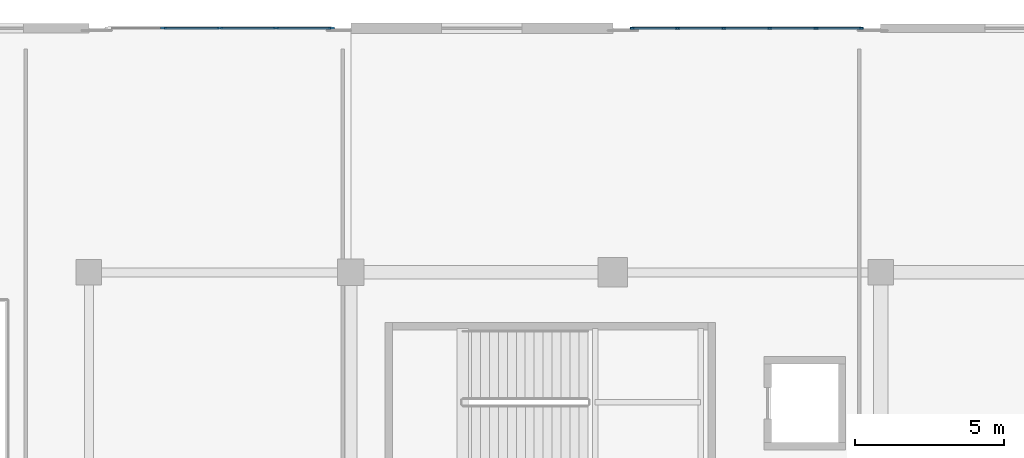
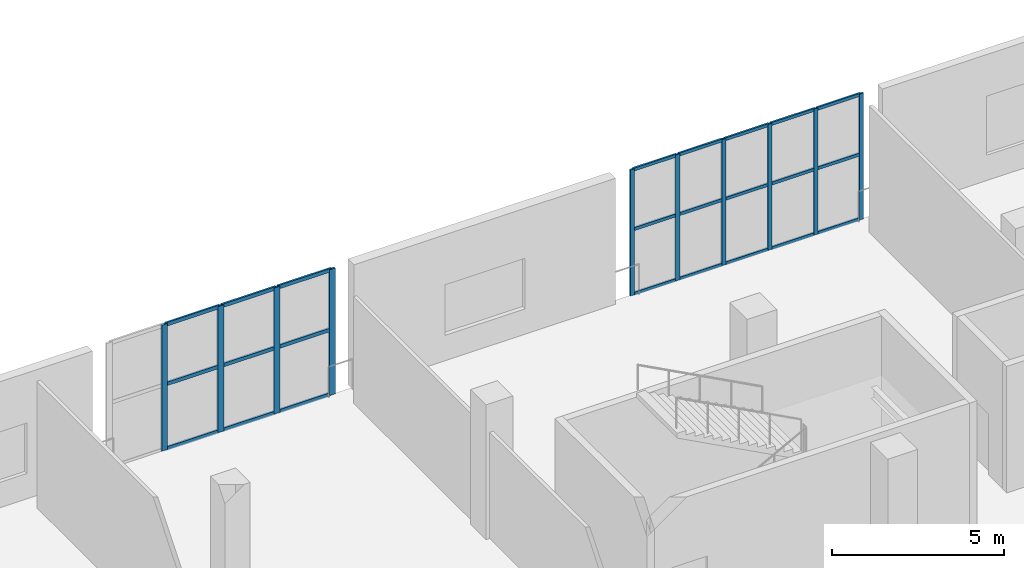
# One storey, part 55 of 129: 34 members, 2 elements without a shape of their own.
"""IFC4 building model written with IfcOpenShell, lengths in metres."""

import ifcopenshell
import ifcopenshell.guid

model = None  # the IFC model being written
_history = None  # IfcOwnerHistory: only IFC2X3 demands one
_inside = {}  # id of a spatial element -> (the spatial element, [elements in it])
_under = {}  # id of a project, library or spatial element -> (it, [spatial elements below it])
_declared = {}  # id of a project -> (the project, [libraries it declares])
_typed = {}  # id of a type object -> (the type object, [elements of that type])
_made_of = {}  # id of a material, layer set ... -> (it, [elements and type objects made of it])


def new_model(schema):
    """Start an empty IFC model of exactly this schema.

    Asked for "IFC4X3", IfcOpenShell would pick the latest addendum, in which some entities
    have other attributes; the version numbers below select the first issue.
    IFC2X3 requires an IfcOwnerHistory on every rooted entity: one is made here for all.
    """
    global model, _history
    if schema == "IFC4X3":
        model = ifcopenshell.file(schema_version=(4, 3, 0, 0))
    else:
        model = ifcopenshell.file(schema=schema)
    _inside.clear()
    _under.clear()
    _declared.clear()
    _typed.clear()
    _made_of.clear()
    _history = None
    if model.schema == "IFC2X3":
        org = make("IfcOrganization", Name="unknown")
        user = make(
            "IfcPersonAndOrganization",
            ThePerson=make("IfcPerson", FamilyName="unknown"),
            TheOrganization=org,
        )
        app = make(
            "IfcApplication",
            ApplicationDeveloper=org,
            Version="unknown",
            ApplicationFullName="unknown",
            ApplicationIdentifier="unknown",
        )
        _history = make(
            "IfcOwnerHistory",
            OwningUser=user,
            OwningApplication=app,
            ChangeAction="ADDED",
            CreationDate=0,
        )
    return model


def make(cls, **values):
    """One entity of the class cls with the attributes given. An attribute that is None is left unset."""
    return model.create_entity(
        cls, **{name: value for name, value in values.items() if value is not None}
    )


def rooted(cls, **values):
    """An entity with a GlobalId (a new one), such as an element, a storey or a relation."""
    return make(cls, GlobalId=ifcopenshell.guid.new(), OwnerHistory=_history, **values)


def si_unit(unit_type, name, prefix=None):
    """IfcSIUnit, for example si_unit("LENGTHUNIT", "METRE", prefix="MILLI")."""
    return make("IfcSIUnit", UnitType=unit_type, Prefix=prefix, Name=name)


def assignment(units):
    """IfcUnitAssignment: the units of a project."""
    return None if units is None else make("IfcUnitAssignment", Units=units)


def point(xyz):
    """IfcCartesianPoint."""
    return None if xyz is None else make("IfcCartesianPoint", Coordinates=xyz)


def direction(xyz):
    """IfcDirection."""
    return None if xyz is None else make("IfcDirection", DirectionRatios=xyz)


def frame(location, z_axis=None, x_axis=None):
    """IfcAxis2Placement3D, a coordinate frame: its origin and axes. An axis left out is left unset."""
    return make(
        "IfcAxis2Placement3D",
        Location=point(location),
        Axis=direction(z_axis),
        RefDirection=direction(x_axis),
    )


def frame_2d(location, x_axis=None):
    """IfcAxis2Placement2D, a coordinate frame in the plane: its origin and x axis."""
    return make(
        "IfcAxis2Placement2D", Location=point(location), RefDirection=direction(x_axis)
    )


def origin():
    """The frame at (0, 0, 0) with its axes left unset."""
    return frame((0.0, 0.0, 0.0))


def origin_2d():
    """The frame at (0, 0) in the plane with its x axis left unset."""
    return frame_2d((0.0, 0.0))


def place(relative_to, where):
    """IfcLocalPlacement: puts the frame where relative to a parent placement (None: the world)."""
    return make(
        "IfcLocalPlacement", PlacementRelTo=relative_to, RelativePlacement=where
    )


def context(
    kind, dimensions, precision=None, world=None, true_north=None, identifier=None
):
    """IfcGeometricRepresentationContext, for example the 3D "Model" context."""
    return make(
        "IfcGeometricRepresentationContext",
        ContextIdentifier=identifier,
        ContextType=kind,
        CoordinateSpaceDimension=dimensions,
        Precision=precision,
        WorldCoordinateSystem=world,
        TrueNorth=true_north,
    )


def subcontext(parent, identifier, kind, view, scale=None):
    """IfcGeometricRepresentationSubContext, for example "Body" below "Model"."""
    return make(
        "IfcGeometricRepresentationSubContext",
        ContextIdentifier=identifier,
        ContextType=kind,
        ParentContext=parent,
        TargetScale=scale,
        TargetView=view,
    )


def project(units=None, contexts=None):
    """IfcProject with its units and contexts."""
    return rooted(
        "IfcProject",
        Name="project",
        RepresentationContexts=contexts,
        UnitsInContext=assignment(units),
    )


def spatial(cls, under=None, at=None, **own):
    """A site, building, storey or space (cls), placed at a placement, below another one or the project."""
    s = rooted(cls, ObjectPlacement=at, **own)
    if under is not None:
        _under.setdefault(under.id(), (under, []))[1].append(s)
    return s


def profile(cls, at=None, kind="AREA", **sizes):
    """A parametric profile (cls). Its sizes go by their IFC names, for example OverallWidth=200.0."""
    return make(cls, ProfileType=kind, Position=at, **sizes)


def rectangle(**sizes):
    """IfcRectangleProfileDef."""
    return profile("IfcRectangleProfileDef", **sizes)


def extrude(swept, where, along, depth):
    """IfcExtrudedAreaSolid: the profile swept, set in the frame where, extruded along a direction by depth."""
    return make(
        "IfcExtrudedAreaSolid",
        SweptArea=swept,
        Position=where,
        ExtrudedDirection=direction(along),
        Depth=depth,
    )


def shape(context_of_items, identifier, shape_type, items):
    """IfcShapeRepresentation: the items that make up one representation, for example the "Body"."""
    return make(
        "IfcShapeRepresentation",
        ContextOfItems=context_of_items,
        RepresentationIdentifier=identifier,
        RepresentationType=shape_type,
        Items=items,
    )


def material(Name=None, Category=None):
    """IfcMaterial."""
    return make("IfcMaterial", Name=Name, Category=Category)


def material_profile(
    of_material, cross_section, Name=None, Category=None, Priority=None
):
    """IfcMaterialProfile: a cross section and its material."""
    return make(
        "IfcMaterialProfile",
        Name=Name,
        Material=of_material,
        Profile=cross_section,
        Priority=Priority,
        Category=Category,
    )


def profile_set(profiles, Name=None, composite=None):
    """IfcMaterialProfileSet."""
    return make(
        "IfcMaterialProfileSet",
        Name=Name,
        MaterialProfiles=profiles,
        CompositeProfile=composite,
    )


def made_of(thing, what):
    """Note that an element or type object is made of a material, layer set ...; save() writes the relation."""
    if what is not None:
        _made_of.setdefault(what.id(), (what, []))[1].append(thing)
    return thing


def type_object(cls, material=None, **own):
    """A type object (cls), such as IfcWallType, which elements share."""
    return made_of(rooted(cls, **own), material)


def element(
    cls,
    number,
    at=None,
    inside=None,
    cuts=None,
    type_object=None,
    material=None,
    context=None,
    identifier="Body",
    shape_type=None,
    held_by="IfcProductDefinitionShape",
    body=None,
    shapes=None,
    **own,
):
    """One element of the class cls, such as IfcWall. Its Tag is "e" and its number.

    at: its placement. inside: the storey or other place that contains it. cuts: it is an
    opening in that element (IfcRelVoidsElement). A single representation is given by context,
    identifier, shape_type and body (its items); several are given by shapes. held_by: the class
    of the entity that holds the representations. save() writes the other relations.
    """
    e = rooted(cls, Tag="e%d" % number, ObjectPlacement=at, **own)
    if body is not None:
        shapes = [shape(context, identifier, shape_type, body)]
    if shapes is not None:
        e.Representation = make(held_by, Representations=shapes)
    if inside is not None:
        _inside.setdefault(inside.id(), (inside, []))[1].append(e)
    if cuts is not None:
        rooted(
            "IfcRelVoidsElement", RelatingBuildingElement=cuts, RelatedOpeningElement=e
        )
    if type_object is not None:
        _typed.setdefault(type_object.id(), (type_object, []))[1].append(e)
    return made_of(e, material)


def aggregate(whole, parts):
    """IfcRelAggregates: a whole, such as a stair, and the parts it consists of."""
    return rooted("IfcRelAggregates", RelatingObject=whole, RelatedObjects=parts)


def save(model, path):
    """Write the relations noted so far, then the file.

    IfcRelAggregates (storeys below a building ...), IfcRelContainedInSpatialStructure (elements
    in a storey), IfcRelDefinesByType, IfcRelAssociatesMaterial and IfcRelDeclares: one each for
    every whole, place, type object, material and project.
    """
    for whole, parts in _under.values():
        aggregate(whole, parts)
    for where, things in _inside.values():
        rooted(
            "IfcRelContainedInSpatialStructure",
            RelatedElements=things,
            RelatingStructure=where,
        )
    for kind, things in _typed.values():
        rooted("IfcRelDefinesByType", RelatedObjects=things, RelatingType=kind)
    for what, things in _made_of.values():
        rooted("IfcRelAssociatesMaterial", RelatedObjects=things, RelatingMaterial=what)
    for by, libraries in _declared.values():
        rooted("IfcRelDeclares", RelatingContext=by, RelatedDefinitions=libraries)
    model.write(path)


model = new_model("IFC4")

# Units and contexts
model_context = context("Model", 3, precision=1e-05, world=origin(), true_north=direction((0.0, 1.0)))
body_context = subcontext(model_context, "Body", "Model", "MODEL_VIEW")
ifc_project = project(units=[si_unit("LENGTHUNIT", "METRE"), si_unit("AREAUNIT", "SQUARE_METRE"), si_unit("VOLUMEUNIT", "CUBIC_METRE"), si_unit("PLANEANGLEUNIT", "RADIAN"), si_unit("MASSUNIT", "GRAM", prefix="KILO")], contexts=[model_context])

# Site, building, storey
site_placement = place(None, origin())
site = spatial("IfcSite", under=ifc_project, at=site_placement, CompositionType="ELEMENT")
building_placement = place(site_placement, origin())
building = spatial("IfcBuilding", under=site, at=building_placement, Name="Koshinbarg Plaza Stadium", CompositionType="ELEMENT")
storey_placement = place(building_placement, frame((0.0, 0.0, 5.39990234375)))
storey = spatial("IfcBuildingStorey", under=building, at=storey_placement, Name="L01", CompositionType="ELEMENT", Elevation=5.39990234375)

# Curtain wall, members
ifc_material_1 = material(Name="Thermally broken anodised aluminium and low-E double glazing", Category="aluminium")
curtain_wall_type_1 = type_object("IfcCurtainWallType", Name="CW-SYS-01", PredefinedType="NOTDEFINED", material=ifc_material_1)
curtain_wall_1_placement = place(storey_placement, origin())
curtain_wall_1 = element("IfcCurtainWall", 1, at=curtain_wall_1_placement, inside=storey, type_object=curtain_wall_type_1, Name="L01 unitised curtain wall CW-L01-016", PredefinedType="NOTDEFINED")
ifc_material_2 = material(Name="Anodised aluminium mullion", Category="aluminium")
ifc_material_profile_1 = material_profile(ifc_material_2, rectangle(XDim=0.06005859375, YDim=0.139892578125, at=origin_2d()), Name="ALU 60x140")
ifc_profile_set_1 = profile_set([ifc_material_profile_1], Name="Anodised aluminium mullion")
member_type_1 = type_object("IfcMemberType", Name="CW-MUL-01", PredefinedType="MULLION", material=ifc_profile_set_1)
member_1_placement = place(storey_placement, frame((181.050048828125, 152.0, 0.0), z_axis=(0.0, 0.0, 1.0), x_axis=(0.0, 1.0, 0.0)))
member_1 = element("IfcMember", 2, at=member_1_placement, type_object=member_type_1, Name="CW01 mullion 1", PredefinedType="MULLION", context=body_context, shape_type="SweptSolid", body=[
    extrude(rectangle(XDim=0.06005859375, YDim=0.139892578125, at=origin_2d()), origin(), (0.0, 0.0, 1.0), 4.47998046875),
])
member_2_placement = place(storey_placement, frame((182.572021484375, 152.0, 0.0), z_axis=(0.0, 0.0, 1.0), x_axis=(0.0, 1.0, 0.0)))
member_2 = element("IfcMember", 3, at=member_2_placement, type_object=member_type_1, Name="CW01 mullion 2", PredefinedType="MULLION", context=body_context, shape_type="SweptSolid", body=[
    extrude(rectangle(XDim=0.06005859375, YDim=0.139892578125, at=origin_2d()), origin(), (0.0, 0.0, 1.0), 4.47998046875),
])
member_3_placement = place(storey_placement, frame((184.1240234375, 152.0, 0.0), z_axis=(0.0, 0.0, 1.0), x_axis=(0.0, 1.0, 0.0)))
member_3 = element("IfcMember", 4, at=member_3_placement, type_object=member_type_1, Name="CW01 mullion 3", PredefinedType="MULLION", context=body_context, shape_type="SweptSolid", body=[
    extrude(rectangle(XDim=0.06005859375, YDim=0.139892578125, at=origin_2d()), origin(), (0.0, 0.0, 1.0), 4.47998046875),
])
member_4_placement = place(storey_placement, frame((185.676025390625, 152.0, 0.0), z_axis=(0.0, 0.0, 1.0), x_axis=(0.0, 1.0, 0.0)))
member_4 = element("IfcMember", 5, at=member_4_placement, type_object=member_type_1, Name="CW01 mullion 4", PredefinedType="MULLION", context=body_context, shape_type="SweptSolid", body=[
    extrude(rectangle(XDim=0.06005859375, YDim=0.139892578125, at=origin_2d()), origin(), (0.0, 0.0, 1.0), 4.47998046875),
])
member_5_placement = place(storey_placement, frame((187.22802734375, 152.0, 0.0), z_axis=(0.0, 0.0, 1.0), x_axis=(0.0, 1.0, 0.0)))
member_5 = element("IfcMember", 6, at=member_5_placement, type_object=member_type_1, Name="CW01 mullion 5", PredefinedType="MULLION", context=body_context, shape_type="SweptSolid", body=[
    extrude(rectangle(XDim=0.06005859375, YDim=0.139892578125, at=origin_2d()), origin(), (0.0, 0.0, 1.0), 4.47998046875),
])
member_6_placement = place(storey_placement, frame((188.75, 152.0, 0.0), z_axis=(0.0, 0.0, 1.0), x_axis=(0.0, 1.0, 0.0)))
member_6 = element("IfcMember", 7, at=member_6_placement, type_object=member_type_1, Name="CW01 mullion 6", PredefinedType="MULLION", context=body_context, shape_type="SweptSolid", body=[
    extrude(rectangle(XDim=0.06005859375, YDim=0.139892578125, at=origin_2d()), origin(), (0.0, 0.0, 1.0), 4.47998046875),
])

curtain_wall_type_2 = type_object("IfcCurtainWallType", Name="CW-SYS-16", PredefinedType="NOTDEFINED", material=ifc_material_1)
curtain_wall_2_placement = place(storey_placement, origin())
curtain_wall_2 = element("IfcCurtainWall", 8, at=curtain_wall_2_placement, inside=storey, type_object=curtain_wall_type_2, Name="L01 unitised curtain wall CW-L01-015", PredefinedType="NOTDEFINED")
ifc_material_profile_2 = material_profile(ifc_material_2, rectangle(XDim=0.070068359375, YDim=0.199951171875, at=origin_2d()), Name="ALU 70x200")
ifc_profile_set_2 = profile_set([ifc_material_profile_2], Name="Anodised aluminium mullion")
member_type_2 = type_object("IfcMemberType", Name="CW-MUL-04", PredefinedType="MULLION", material=ifc_profile_set_2)
member_7_placement = place(storey_placement, frame((165.31005859375, 152.0, 0.0), z_axis=(0.0, 0.0, 1.0), x_axis=(0.0, 1.0, 0.0)))
member_7 = element("IfcMember", 9, at=member_7_placement, type_object=member_type_2, Name="CW16 mullion 2", PredefinedType="MULLION", context=body_context, shape_type="SweptSolid", body=[
    extrude(rectangle(XDim=0.070068359375, YDim=0.199951171875, at=origin_2d()), origin(), (0.0, 0.0, 1.0), 4.47998046875),
])
member_8_placement = place(storey_placement, frame((167.199951171875, 152.0, 0.0), z_axis=(0.0, 0.0, 1.0), x_axis=(0.0, 1.0, 0.0)))
member_8 = element("IfcMember", 10, at=member_8_placement, type_object=member_type_2, Name="CW16 mullion 3", PredefinedType="MULLION", context=body_context, shape_type="SweptSolid", body=[
    extrude(rectangle(XDim=0.070068359375, YDim=0.199951171875, at=origin_2d()), origin(), (0.0, 0.0, 1.0), 4.47998046875),
])
member_9_placement = place(storey_placement, frame((169.090087890625, 152.0, 0.0), z_axis=(0.0, 0.0, 1.0), x_axis=(0.0, 1.0, 0.0)))
member_9 = element("IfcMember", 11, at=member_9_placement, type_object=member_type_2, Name="CW16 mullion 4", PredefinedType="MULLION", context=body_context, shape_type="SweptSolid", body=[
    extrude(rectangle(XDim=0.070068359375, YDim=0.199951171875, at=origin_2d()), origin(), (0.0, 0.0, 1.0), 4.47998046875),
])
member_10_placement = place(storey_placement, frame((170.949951171875, 152.0, 0.0), z_axis=(0.0, 0.0, 1.0), x_axis=(0.0, 1.0, 0.0)))
member_10 = element("IfcMember", 12, at=member_10_placement, type_object=member_type_2, Name="CW16 mullion 5", PredefinedType="MULLION", context=body_context, shape_type="SweptSolid", body=[
    extrude(rectangle(XDim=0.070068359375, YDim=0.199951171875, at=origin_2d()), origin(), (0.0, 0.0, 1.0), 4.47998046875),
])

# Member
ifc_material_3 = material(Name="Anodised aluminium transom", Category="aluminium")
ifc_material_profile_3 = material_profile(ifc_material_3, rectangle(XDim=0.06005859375, YDim=0.110107421875, at=origin_2d()), Name="ALU 60x110")
ifc_profile_set_3 = profile_set([ifc_material_profile_3], Name="Anodised aluminium transom")
member_type_3 = type_object("IfcMemberType", Name="CW-TRN-01", PredefinedType="USERDEFINED", material=ifc_profile_set_3)
member_11_placement = place(storey_placement, frame((181.080078125, 152.0, 0.030029296875), z_axis=(1.0, 0.0, 0.0), x_axis=(0.0, 1.0, 0.0)))
member_11 = element("IfcMember", 13, at=member_11_placement, type_object=member_type_3, Name="CW01 transom 1.1", ObjectType="TRANSOM", PredefinedType="USERDEFINED", context=body_context, shape_type="SweptSolid", body=[
    extrude(rectangle(XDim=0.06005859375, YDim=0.110107421875, at=origin_2d()), origin(), (0.0, 0.0, 1.0), 1.4619140625),
])

member_12_placement = place(storey_placement, frame((181.080078125, 152.0, 2.32958984375), z_axis=(1.0, 0.0, 0.0), x_axis=(0.0, 1.0, 0.0)))
member_12 = element("IfcMember", 14, at=member_12_placement, type_object=member_type_3, Name="CW01 transom 1.2", ObjectType="TRANSOM", PredefinedType="USERDEFINED", context=body_context, shape_type="SweptSolid", body=[
    extrude(rectangle(XDim=0.06005859375, YDim=0.110107421875, at=origin_2d()), origin(), (0.0, 0.0, 1.0), 1.4619140625),
])

member_13_placement = place(storey_placement, frame((181.080078125, 152.0, 4.4501953125), z_axis=(1.0, 0.0, 0.0), x_axis=(0.0, 1.0, 0.0)))
member_13 = element("IfcMember", 15, at=member_13_placement, type_object=member_type_3, Name="CW01 transom 1.3", ObjectType="TRANSOM", PredefinedType="USERDEFINED", context=body_context, shape_type="SweptSolid", body=[
    extrude(rectangle(XDim=0.06005859375, YDim=0.110107421875, at=origin_2d()), origin(), (0.0, 0.0, 1.0), 1.4619140625),
])

member_14_placement = place(storey_placement, frame((182.60205078125, 152.0, 0.030029296875), z_axis=(1.0, 0.0, 0.0), x_axis=(0.0, 1.0, 0.0)))
member_14 = element("IfcMember", 16, at=member_14_placement, type_object=member_type_3, Name="CW01 transom 2.1", ObjectType="TRANSOM", PredefinedType="USERDEFINED", context=body_context, shape_type="SweptSolid", body=[
    extrude(rectangle(XDim=0.06005859375, YDim=0.110107421875, at=origin_2d()), origin(), (0.0, 0.0, 1.0), 1.491943359375),
])

member_15_placement = place(storey_placement, frame((182.60205078125, 152.0, 2.32958984375), z_axis=(1.0, 0.0, 0.0), x_axis=(0.0, 1.0, 0.0)))
member_15 = element("IfcMember", 17, at=member_15_placement, type_object=member_type_3, Name="CW01 transom 2.2", ObjectType="TRANSOM", PredefinedType="USERDEFINED", context=body_context, shape_type="SweptSolid", body=[
    extrude(rectangle(XDim=0.06005859375, YDim=0.110107421875, at=origin_2d()), origin(), (0.0, 0.0, 1.0), 1.491943359375),
])

member_16_placement = place(storey_placement, frame((182.60205078125, 152.0, 4.4501953125), z_axis=(1.0, 0.0, 0.0), x_axis=(0.0, 1.0, 0.0)))
member_16 = element("IfcMember", 18, at=member_16_placement, type_object=member_type_3, Name="CW01 transom 2.3", ObjectType="TRANSOM", PredefinedType="USERDEFINED", context=body_context, shape_type="SweptSolid", body=[
    extrude(rectangle(XDim=0.06005859375, YDim=0.110107421875, at=origin_2d()), origin(), (0.0, 0.0, 1.0), 1.491943359375),
])

member_17_placement = place(storey_placement, frame((184.154052734375, 152.0, 0.030029296875), z_axis=(1.0, 0.0, 0.0), x_axis=(0.0, 1.0, 0.0)))
member_17 = element("IfcMember", 19, at=member_17_placement, type_object=member_type_3, Name="CW01 transom 3.1", ObjectType="TRANSOM", PredefinedType="USERDEFINED", context=body_context, shape_type="SweptSolid", body=[
    extrude(rectangle(XDim=0.06005859375, YDim=0.110107421875, at=origin_2d()), origin(), (0.0, 0.0, 1.0), 1.491943359375),
])

member_18_placement = place(storey_placement, frame((184.154052734375, 152.0, 2.32958984375), z_axis=(1.0, 0.0, 0.0), x_axis=(0.0, 1.0, 0.0)))
member_18 = element("IfcMember", 20, at=member_18_placement, type_object=member_type_3, Name="CW01 transom 3.2", ObjectType="TRANSOM", PredefinedType="USERDEFINED", context=body_context, shape_type="SweptSolid", body=[
    extrude(rectangle(XDim=0.06005859375, YDim=0.110107421875, at=origin_2d()), origin(), (0.0, 0.0, 1.0), 1.491943359375),
])

member_19_placement = place(storey_placement, frame((184.154052734375, 152.0, 4.4501953125), z_axis=(1.0, 0.0, 0.0), x_axis=(0.0, 1.0, 0.0)))
member_19 = element("IfcMember", 21, at=member_19_placement, type_object=member_type_3, Name="CW01 transom 3.3", ObjectType="TRANSOM", PredefinedType="USERDEFINED", context=body_context, shape_type="SweptSolid", body=[
    extrude(rectangle(XDim=0.06005859375, YDim=0.110107421875, at=origin_2d()), origin(), (0.0, 0.0, 1.0), 1.491943359375),
])

member_20_placement = place(storey_placement, frame((185.7060546875, 152.0, 0.030029296875), z_axis=(1.0, 0.0, 0.0), x_axis=(0.0, 1.0, 0.0)))
member_20 = element("IfcMember", 22, at=member_20_placement, type_object=member_type_3, Name="CW01 transom 4.1", ObjectType="TRANSOM", PredefinedType="USERDEFINED", context=body_context, shape_type="SweptSolid", body=[
    extrude(rectangle(XDim=0.06005859375, YDim=0.110107421875, at=origin_2d()), origin(), (0.0, 0.0, 1.0), 1.491943359375),
])

member_21_placement = place(storey_placement, frame((185.7060546875, 152.0, 2.32958984375), z_axis=(1.0, 0.0, 0.0), x_axis=(0.0, 1.0, 0.0)))
member_21 = element("IfcMember", 23, at=member_21_placement, type_object=member_type_3, Name="CW01 transom 4.2", ObjectType="TRANSOM", PredefinedType="USERDEFINED", context=body_context, shape_type="SweptSolid", body=[
    extrude(rectangle(XDim=0.06005859375, YDim=0.110107421875, at=origin_2d()), origin(), (0.0, 0.0, 1.0), 1.491943359375),
])

member_22_placement = place(storey_placement, frame((185.7060546875, 152.0, 4.4501953125), z_axis=(1.0, 0.0, 0.0), x_axis=(0.0, 1.0, 0.0)))
member_22 = element("IfcMember", 24, at=member_22_placement, type_object=member_type_3, Name="CW01 transom 4.3", ObjectType="TRANSOM", PredefinedType="USERDEFINED", context=body_context, shape_type="SweptSolid", body=[
    extrude(rectangle(XDim=0.06005859375, YDim=0.110107421875, at=origin_2d()), origin(), (0.0, 0.0, 1.0), 1.491943359375),
])

member_23_placement = place(storey_placement, frame((187.258056640625, 152.0, 0.030029296875), z_axis=(1.0, 0.0, 0.0), x_axis=(0.0, 1.0, 0.0)))
member_23 = element("IfcMember", 25, at=member_23_placement, type_object=member_type_3, Name="CW01 transom 5.1", ObjectType="TRANSOM", PredefinedType="USERDEFINED", context=body_context, shape_type="SweptSolid", body=[
    extrude(rectangle(XDim=0.06005859375, YDim=0.110107421875, at=origin_2d()), origin(), (0.0, 0.0, 1.0), 1.4619140625),
])

member_24_placement = place(storey_placement, frame((187.258056640625, 152.0, 2.32958984375), z_axis=(1.0, 0.0, 0.0), x_axis=(0.0, 1.0, 0.0)))
member_24 = element("IfcMember", 26, at=member_24_placement, type_object=member_type_3, Name="CW01 transom 5.2", ObjectType="TRANSOM", PredefinedType="USERDEFINED", context=body_context, shape_type="SweptSolid", body=[
    extrude(rectangle(XDim=0.06005859375, YDim=0.110107421875, at=origin_2d()), origin(), (0.0, 0.0, 1.0), 1.4619140625),
])

member_25_placement = place(storey_placement, frame((187.258056640625, 152.0, 4.4501953125), z_axis=(1.0, 0.0, 0.0), x_axis=(0.0, 1.0, 0.0)))
member_25 = element("IfcMember", 27, at=member_25_placement, type_object=member_type_3, Name="CW01 transom 5.3", ObjectType="TRANSOM", PredefinedType="USERDEFINED", context=body_context, shape_type="SweptSolid", body=[
    extrude(rectangle(XDim=0.06005859375, YDim=0.110107421875, at=origin_2d()), origin(), (0.0, 0.0, 1.0), 1.4619140625),
])

aggregate(curtain_wall_1, [member_1, member_2, member_3, member_4, member_5, member_6, member_11, member_12, member_13, member_14, member_15, member_16, member_17, member_18, member_19, member_20, member_21, member_22, member_23, member_24, member_25])

ifc_material_profile_4 = material_profile(ifc_material_3, rectangle(XDim=0.06005859375, YDim=0.1298828125, at=origin_2d()), Name="ALU 60x130")
ifc_profile_set_4 = profile_set([ifc_material_profile_4], Name="Anodised aluminium transom")
member_type_4 = type_object("IfcMemberType", Name="CW-TRN-02", PredefinedType="USERDEFINED", material=ifc_profile_set_4)
member_26_placement = place(storey_placement, frame((165.340087890625, 152.0, 0.030029296875), z_axis=(1.0, 0.0, 0.0), x_axis=(0.0, 1.0, 0.0)))
member_26 = element("IfcMember", 28, at=member_26_placement, type_object=member_type_4, Name="CW16 transom 2.1", ObjectType="TRANSOM", PredefinedType="USERDEFINED", context=body_context, shape_type="SweptSolid", body=[
    extrude(rectangle(XDim=0.06005859375, YDim=0.1298828125, at=origin_2d()), origin(), (0.0, 0.0, 1.0), 1.829833984375),
])

member_27_placement = place(storey_placement, frame((165.340087890625, 152.0, 2.32958984375), z_axis=(1.0, 0.0, 0.0), x_axis=(0.0, 1.0, 0.0)))
member_27 = element("IfcMember", 29, at=member_27_placement, type_object=member_type_4, Name="CW16 transom 2.2", ObjectType="TRANSOM", PredefinedType="USERDEFINED", context=body_context, shape_type="SweptSolid", body=[
    extrude(rectangle(XDim=0.06005859375, YDim=0.1298828125, at=origin_2d()), origin(), (0.0, 0.0, 1.0), 1.829833984375),
])

member_28_placement = place(storey_placement, frame((165.340087890625, 152.0, 4.4501953125), z_axis=(1.0, 0.0, 0.0), x_axis=(0.0, 1.0, 0.0)))
member_28 = element("IfcMember", 30, at=member_28_placement, type_object=member_type_4, Name="CW16 transom 2.3", ObjectType="TRANSOM", PredefinedType="USERDEFINED", context=body_context, shape_type="SweptSolid", body=[
    extrude(rectangle(XDim=0.06005859375, YDim=0.1298828125, at=origin_2d()), origin(), (0.0, 0.0, 1.0), 1.829833984375),
])

member_29_placement = place(storey_placement, frame((167.22998046875, 152.0, 0.030029296875), z_axis=(1.0, 0.0, 0.0), x_axis=(0.0, 1.0, 0.0)))
member_29 = element("IfcMember", 31, at=member_29_placement, type_object=member_type_4, Name="CW16 transom 3.1", ObjectType="TRANSOM", PredefinedType="USERDEFINED", context=body_context, shape_type="SweptSolid", body=[
    extrude(rectangle(XDim=0.06005859375, YDim=0.1298828125, at=origin_2d()), origin(), (0.0, 0.0, 1.0), 1.830078125),
])

member_30_placement = place(storey_placement, frame((167.22998046875, 152.0, 2.32958984375), z_axis=(1.0, 0.0, 0.0), x_axis=(0.0, 1.0, 0.0)))
member_30 = element("IfcMember", 32, at=member_30_placement, type_object=member_type_4, Name="CW16 transom 3.2", ObjectType="TRANSOM", PredefinedType="USERDEFINED", context=body_context, shape_type="SweptSolid", body=[
    extrude(rectangle(XDim=0.06005859375, YDim=0.1298828125, at=origin_2d()), origin(), (0.0, 0.0, 1.0), 1.830078125),
])

member_31_placement = place(storey_placement, frame((167.22998046875, 152.0, 4.4501953125), z_axis=(1.0, 0.0, 0.0), x_axis=(0.0, 1.0, 0.0)))
member_31 = element("IfcMember", 33, at=member_31_placement, type_object=member_type_4, Name="CW16 transom 3.3", ObjectType="TRANSOM", PredefinedType="USERDEFINED", context=body_context, shape_type="SweptSolid", body=[
    extrude(rectangle(XDim=0.06005859375, YDim=0.1298828125, at=origin_2d()), origin(), (0.0, 0.0, 1.0), 1.830078125),
])

member_32_placement = place(storey_placement, frame((169.1201171875, 152.0, 0.030029296875), z_axis=(1.0, 0.0, 0.0), x_axis=(0.0, 1.0, 0.0)))
member_32 = element("IfcMember", 34, at=member_32_placement, type_object=member_type_4, Name="CW16 transom 4.1", ObjectType="TRANSOM", PredefinedType="USERDEFINED", context=body_context, shape_type="SweptSolid", body=[
    extrude(rectangle(XDim=0.06005859375, YDim=0.1298828125, at=origin_2d()), origin(), (0.0, 0.0, 1.0), 1.7998046875),
])

member_33_placement = place(storey_placement, frame((169.1201171875, 152.0, 2.32958984375), z_axis=(1.0, 0.0, 0.0), x_axis=(0.0, 1.0, 0.0)))
member_33 = element("IfcMember", 35, at=member_33_placement, type_object=member_type_4, Name="CW16 transom 4.2", ObjectType="TRANSOM", PredefinedType="USERDEFINED", context=body_context, shape_type="SweptSolid", body=[
    extrude(rectangle(XDim=0.06005859375, YDim=0.1298828125, at=origin_2d()), origin(), (0.0, 0.0, 1.0), 1.7998046875),
])

member_34_placement = place(storey_placement, frame((169.1201171875, 152.0, 4.4501953125), z_axis=(1.0, 0.0, 0.0), x_axis=(0.0, 1.0, 0.0)))
member_34 = element("IfcMember", 36, at=member_34_placement, type_object=member_type_4, Name="CW16 transom 4.3", ObjectType="TRANSOM", PredefinedType="USERDEFINED", context=body_context, shape_type="SweptSolid", body=[
    extrude(rectangle(XDim=0.06005859375, YDim=0.1298828125, at=origin_2d()), origin(), (0.0, 0.0, 1.0), 1.7998046875),
])

aggregate(curtain_wall_2, [member_7, member_8, member_9, member_10, member_26, member_27, member_28, member_29, member_30, member_31, member_32, member_33, member_34])

save(model, "model.ifc")
